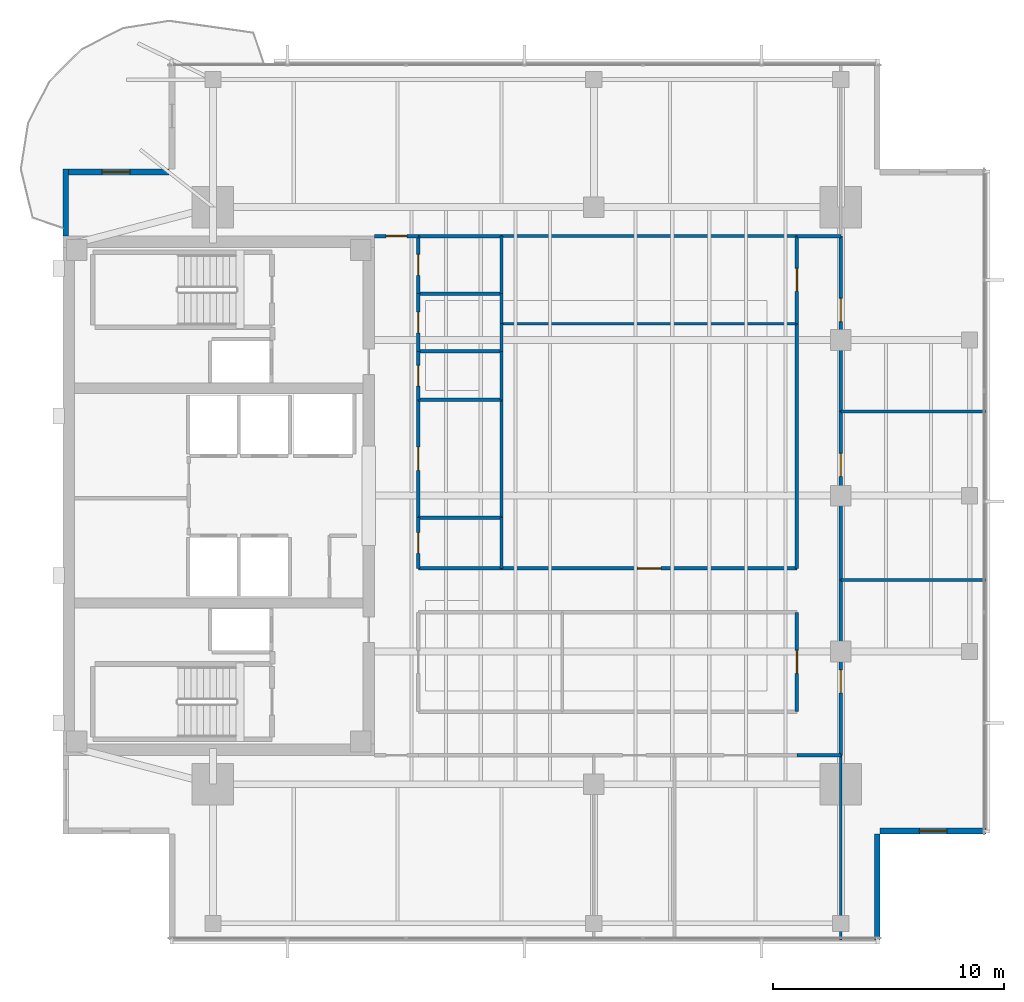
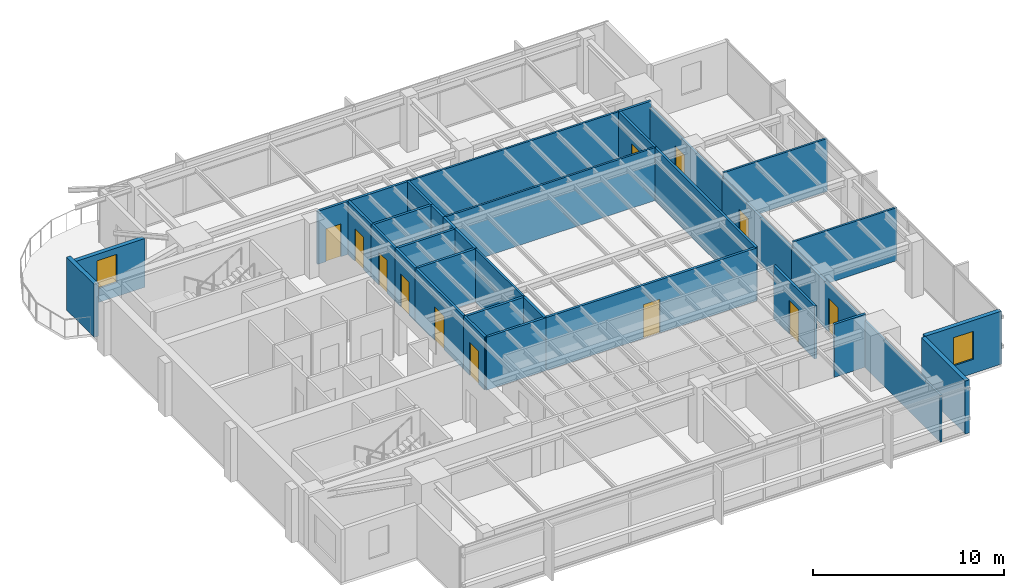
# One storey, part 9 of 14: 36 walls, 12 doors, 2 windows, 14 openings.
"""IFC4 building model written with IfcOpenShell, lengths in metres."""

from ifc_helpers import new_model, si_unit, direction, frame, frame_2d, origin, place, context, subcontext, project, spatial, rectangle, extrude, material, layer, layer_set, type_object, element, fill, save


model = new_model("IFC4")

# Units and contexts
model_context = context("Model", 3, precision=1e-05, world=origin(), true_north=direction((0.0, 1.0)))
body_context = subcontext(model_context, "Body", "Model", "MODEL_VIEW")
ifc_project = project(units=[si_unit("LENGTHUNIT", "METRE"), si_unit("AREAUNIT", "SQUARE_METRE"), si_unit("VOLUMEUNIT", "CUBIC_METRE"), si_unit("PLANEANGLEUNIT", "RADIAN"), si_unit("MASSUNIT", "GRAM", prefix="KILO")], contexts=[model_context])

# Site, building, storey
site_placement = place(None, origin())
site = spatial("IfcSite", under=ifc_project, at=site_placement, CompositionType="ELEMENT")
building_placement = place(site_placement, origin())
building = spatial("IfcBuilding", under=site, at=building_placement, Name="Kinhvarn Gate Tower", CompositionType="ELEMENT")
storey_placement = place(building_placement, frame((0.0, 0.0, 274.10009765625)))
storey = spatial("IfcBuildingStorey", under=building, at=storey_placement, Name="L73", CompositionType="ELEMENT", Elevation=274.10009765625)

# Walls
ifc_material_1 = material(Name="Fired architectural terracotta", Category="masonry")
ifc_layer_1 = layer(ifc_material_1, 0.25)
ifc_layer_set_1 = layer_set([ifc_layer_1], Name="Fired architectural terracotta")
wall_type_1 = type_object("IfcWallType", Name="WL-EXT-250", PredefinedType="SOLIDWALL", material=ifc_layer_set_1)
wall_1_placement = place(storey_placement, frame((4.625, 39.39990234375, 0.0), z_axis=(0.0, 0.0, 1.0), x_axis=(0.0, -1.0, 0.0)))
element("IfcWall", 1, at=wall_1_placement, inside=storey, type_object=wall_type_1, Name="Exterior Solidwall Wall EW-250 (L73 West-North)", PredefinedType="SOLIDWALL", context=body_context, shape_type="SweptSolid", body=[
    extrude(rectangle(XDim=2.89990234375, YDim=0.25, at=frame_2d((1.449951171875, 0.0))), origin(), (0.0, 0.0, 1.0), 3.389892578125),
])
wall_2_placement = place(storey_placement, frame((39.77490234375, 6.0, 0.0), z_axis=(0.0, 0.0, 1.0), x_axis=(0.0, 1.0, 0.0)))
element("IfcWall", 2, at=wall_2_placement, inside=storey, type_object=wall_type_1, Name="Exterior Solidwall Wall EW-250 (L73 SE-Notch-1)", PredefinedType="SOLIDWALL", context=body_context, shape_type="SweptSolid", body=[
    extrude(rectangle(XDim=4.60009765625, YDim=0.25, at=frame_2d((2.300048828125, 0.0))), origin(), (0.0, 0.0, 1.0), 3.389892578125),
])

# Wall, opening, window
wall_3_placement = place(storey_placement, frame((39.89990234375, 10.72509765625, 0.0), z_axis=(0.0, 0.0, 1.0), x_axis=(1.0, 0.0, 0.0)))
wall_3 = element("IfcWall", 3, at=wall_3_placement, inside=storey, type_object=wall_type_1, Name="Exterior Solidwall Wall EW-250 (L73 SE-Notch-2)", PredefinedType="SOLIDWALL", context=body_context, shape_type="SweptSolid", body=[
    extrude(rectangle(XDim=4.60009765625, YDim=0.25, at=frame_2d((2.300048828125, 0.0))), origin(), (0.0, 0.0, 1.0), 3.389892578125),
])
opening_1_placement = place(wall_3_placement, frame((1.699951171875, 0.0, 0.89990234375)))
opening_1 = element("IfcOpeningElement", 4, at=opening_1_placement, cuts=wall_3, Name="Opening WN-02", PredefinedType="OPENING", context=body_context, shape_type="SweptSolid", body=[
    extrude(rectangle(XDim=1.199951171875, YDim=1.800048828125, at=frame_2d((0.60009765625, 0.89990234375))), frame((0.0, 0.135009765625, 0.0), z_axis=(0.0, -1.0, 0.0), x_axis=(1.0, 0.0, 0.0)), (0.0, 0.0, 1.0), 0.27001953125),
])
ifc_material_2 = material(Name="Clear low-e double glazing", Category="glass")
window_type = type_object("IfcWindowType", Name="WIN-NTC-1200", PartitioningType="SINGLE_PANEL", PredefinedType="WINDOW", material=ifc_material_2)
window_1_placement = place(opening_1_placement, origin())
window_1 = element("IfcWindow", 5, at=window_1_placement, inside=storey, type_object=window_type, Name="Recessed Corner Notch Punched Window 1200x1800 mm (L73)", OverallHeight=1.800048828125, OverallWidth=1.199951171875, PartitioningType="SINGLE_PANEL", PredefinedType="WINDOW", context=body_context, shape_type="SweptSolid", body=[
    extrude(rectangle(XDim=1.199951171875, YDim=1.800048828125, at=frame_2d((0.60009765625, 0.89990234375))), frame((0.0, 0.030029296875, 0.0), z_axis=(0.0, -1.0, 0.0), x_axis=(1.0, 0.0, 0.0)), (0.0, 0.0, 1.0), 0.06005859375),
])
fill(opening_1, window_1)

wall_4_placement = place(storey_placement, frame((9.10009765625, 39.27490234375, 0.0), z_axis=(0.0, 0.0, 1.0), x_axis=(-1.0, 0.0, 0.0)))
wall_4 = element("IfcWall", 6, at=wall_4_placement, inside=storey, type_object=wall_type_1, Name="Exterior Solidwall Wall EW-250 (L73 NW-Notch-Win)", PredefinedType="SOLIDWALL", context=body_context, shape_type="SweptSolid", body=[
    extrude(rectangle(XDim=4.60009765625, YDim=0.25, at=frame_2d((2.300048828125, 0.0))), origin(), (0.0, 0.0, 1.0), 3.119873046875),
])
opening_2_placement = place(wall_4_placement, frame((1.699951171875, 0.0, 0.89990234375)))
opening_2 = element("IfcOpeningElement", 7, at=opening_2_placement, cuts=wall_4, Name="Opening WN-02", PredefinedType="OPENING", context=body_context, shape_type="SweptSolid", body=[
    extrude(rectangle(XDim=1.199951171875, YDim=1.800048828125, at=frame_2d((0.60009765625, 0.89990234375))), frame((0.0, 0.135009765625, 0.0), z_axis=(0.0, -1.0, 0.0), x_axis=(1.0, 0.0, 0.0)), (0.0, 0.0, 1.0), 0.27001953125),
])
window_2_placement = place(opening_2_placement, origin())
window_2 = element("IfcWindow", 8, at=window_2_placement, inside=storey, type_object=window_type, Name="Recessed Corner Notch Punched Window 1200x1800 mm (L73)", OverallHeight=1.800048828125, OverallWidth=1.199951171875, PartitioningType="SINGLE_PANEL", PredefinedType="WINDOW", context=body_context, shape_type="SweptSolid", body=[
    extrude(rectangle(XDim=1.199951171875, YDim=1.800048828125, at=frame_2d((0.60009765625, 0.89990234375))), frame((0.0, 0.030029296875, 0.0), z_axis=(0.0, -1.0, 0.0), x_axis=(1.0, 0.0, 0.0)), (0.0, 0.0, 1.0), 0.06005859375),
])
fill(opening_2, window_2)

# Walls
ifc_material_3 = material(Name="Gypsum acoustic partition board")
ifc_layer_2 = layer(ifc_material_3, 0.14990234375)
ifc_layer_set_2 = layer_set([ifc_layer_2], Name="Gypsum acoustic partition board")
wall_type_2 = type_object("IfcWallType", Name="WL-PLM-150", PredefinedType="PLUMBINGWALL", material=ifc_layer_set_2)
wall_5_placement = place(storey_placement, frame((19.89990234375, 34.0, 0.0), z_axis=(0.0, 0.0, 1.0), x_axis=(1.0, 0.0, 0.0)))
element("IfcWall", 9, at=wall_5_placement, inside=storey, type_object=wall_type_2, Name="Interior Partition PLW-150 (L73)", PredefinedType="PLUMBINGWALL", context=body_context, shape_type="SweptSolid", body=[
    extrude(rectangle(XDim=3.60009765625, YDim=0.14990234375, at=frame_2d((1.800048828125, 0.0))), origin(), (0.0, 0.0, 1.0), 3.389892578125),
])
wall_6_placement = place(storey_placement, frame((23.5, 34.0, 0.0), z_axis=(0.0, 0.0, 1.0), x_axis=(0.0, 1.0, 0.0)))
element("IfcWall", 10, at=wall_6_placement, inside=storey, type_object=wall_type_2, Name="Interior Partition PLW-150 (L73)", PredefinedType="PLUMBINGWALL", context=body_context, shape_type="SweptSolid", body=[
    extrude(rectangle(XDim=2.5, YDim=0.14990234375, at=frame_2d((1.25, 0.0))), origin(), (0.0, 0.0, 1.0), 3.389892578125),
])
for number, where, z_axis, x_axis, name in (
    (11, (19.89990234375, 36.5, 0.0), (0.0, 0.0, 1.0), (1.0, 0.0, 0.0), "Interior Partition PLW-150 (L73)"),
    (12, (19.89990234375, 31.5, 0.0), (0.0, 0.0, 1.0), (1.0, 0.0, 0.0), "Interior Partition PLW-150 (L73)"),
):
    element("IfcWall", number, at=place(storey_placement, frame(where, z_axis=z_axis, x_axis=x_axis)), inside=storey, type_object=wall_type_2, Name=name, PredefinedType="PLUMBINGWALL", context=body_context, shape_type="SweptSolid", body=[
        extrude(rectangle(XDim=3.60009765625, YDim=0.14990234375, at=frame_2d((1.800048828125, 0.0))), origin(), (0.0, 0.0, 1.0), 3.389892578125),
    ])
wall_7_placement = place(storey_placement, frame((23.5, 32.699951171875, 0.0), z_axis=(0.0, 0.0, 1.0), x_axis=(0.0, 1.0, 0.0)))
element("IfcWall", 13, at=wall_7_placement, inside=storey, type_object=wall_type_2, Name="Interior Partition PLW-150 (L73)", PredefinedType="PLUMBINGWALL", context=body_context, shape_type="SweptSolid", body=[
    extrude(rectangle(XDim=1.300048828125, YDim=0.14990234375, at=frame_2d((0.64990234375, 0.0))), origin(), (0.0, 0.0, 1.0), 3.389892578125),
])
wall_8_placement = place(storey_placement, frame((23.5, 31.5, 0.0), z_axis=(0.0, 0.0, 1.0), x_axis=(0.0, 1.0, 0.0)))
element("IfcWall", 14, at=wall_8_placement, inside=storey, type_object=wall_type_2, Name="Interior Partition PLW-150 (L73)", PredefinedType="PLUMBINGWALL", context=body_context, shape_type="SweptSolid", body=[
    extrude(rectangle(XDim=1.199951171875, YDim=0.14990234375, at=frame_2d((0.60009765625, 0.0))), origin(), (0.0, 0.0, 1.0), 3.389892578125),
])
wall_9_placement = place(storey_placement, frame((19.89990234375, 29.39990234375, 0.0), z_axis=(0.0, 0.0, 1.0), x_axis=(1.0, 0.0, 0.0)))
element("IfcWall", 15, at=wall_9_placement, inside=storey, type_object=wall_type_2, Name="Interior Partition PLW-150 (L73)", PredefinedType="PLUMBINGWALL", context=body_context, shape_type="SweptSolid", body=[
    extrude(rectangle(XDim=3.60009765625, YDim=0.14990234375, at=frame_2d((1.800048828125, 0.0))), origin(), (0.0, 0.0, 1.0), 3.389892578125),
])
wall_10_placement = place(storey_placement, frame((23.5, 29.39990234375, 0.0), z_axis=(0.0, 0.0, 1.0), x_axis=(0.0, 1.0, 0.0)))
element("IfcWall", 16, at=wall_10_placement, inside=storey, type_object=wall_type_2, Name="Interior Partition PLW-150 (L73)", PredefinedType="PLUMBINGWALL", context=body_context, shape_type="SweptSolid", body=[
    extrude(rectangle(XDim=2.10009765625, YDim=0.14990234375, at=frame_2d((1.050048828125, 0.0))), origin(), (0.0, 0.0, 1.0), 3.389892578125),
])
wall_11_placement = place(storey_placement, frame((19.89990234375, 24.300048828125, 0.0), z_axis=(0.0, 0.0, 1.0), x_axis=(1.0, 0.0, 0.0)))
element("IfcWall", 17, at=wall_11_placement, inside=storey, type_object=wall_type_2, Name="Interior Partition PLW-150 (L73)", PredefinedType="PLUMBINGWALL", context=body_context, shape_type="SweptSolid", body=[
    extrude(rectangle(XDim=3.60009765625, YDim=0.14990234375, at=frame_2d((1.800048828125, 0.0))), origin(), (0.0, 0.0, 1.0), 3.389892578125),
])
wall_12_placement = place(storey_placement, frame((23.5, 22.10009765625, 0.0), z_axis=(0.0, 0.0, 1.0), x_axis=(0.0, 1.0, 0.0)))
element("IfcWall", 18, at=wall_12_placement, inside=storey, type_object=wall_type_2, Name="Interior Partition PLW-150 (L73)", PredefinedType="PLUMBINGWALL", context=body_context, shape_type="SweptSolid", body=[
    extrude(rectangle(XDim=2.199951171875, YDim=0.14990234375, at=frame_2d((1.10009765625, 0.0))), origin(), (0.0, 0.0, 1.0), 3.389892578125),
])

# Wall, opening, door
ifc_layer_3 = layer(ifc_material_3, 0.14990234375)
ifc_layer_set_3 = layer_set([ifc_layer_3], Name="Gypsum acoustic partition board")
wall_type_3 = type_object("IfcWallType", Name="WL-PLM-150F", PredefinedType="PLUMBINGWALL", material=ifc_layer_set_3)
wall_13_placement = place(storey_placement, frame((19.89990234375, 34.0, 0.0), z_axis=(0.0, 0.0, 1.0), x_axis=(0.0, 1.0, 0.0)))
wall_13 = element("IfcWall", 19, at=wall_13_placement, inside=storey, type_object=wall_type_3, Name="Interior Partition PLW-150F (L73)", PredefinedType="PLUMBINGWALL", context=body_context, shape_type="SweptSolid", body=[
    extrude(rectangle(XDim=2.5, YDim=0.14990234375, at=frame_2d((1.25, 0.0))), origin(), (0.0, 0.0, 1.0), 3.389892578125),
])
opening_3_placement = place(wall_13_placement, frame((0.800048828125, 0.0, 0.0)))
opening_3 = element("IfcOpeningElement", 20, at=opening_3_placement, cuts=wall_13, Name="Opening FD-04", PredefinedType="OPENING", context=body_context, shape_type="SweptSolid", body=[
    extrude(rectangle(XDim=0.89990234375, YDim=2.10009765625, at=frame_2d((0.449951171875, 1.050048828125))), frame((0.0, 0.0849609375, 0.0), z_axis=(0.0, -1.0, 0.0), x_axis=(1.0, 0.0, 0.0)), (0.0, 0.0, 1.0), 0.169921875),
])
ifc_material_4 = material(Name="Anodised aluminium AW-6063", Category="aluminium")
door_type_1 = type_object("IfcDoorType", Name="DR-FD-900", OperationType="NOTDEFINED", PredefinedType="DOOR", material=ifc_material_4)
door_1_placement = place(opening_3_placement, origin())
door_1 = element("IfcDoor", 21, at=door_1_placement, inside=storey, type_object=door_type_1, Name="Rated Riser & Service Closet Fire Door 900x2100 mm (L73)", OperationType="SINGLE_SWING_RIGHT", OverallHeight=2.10009765625, OverallWidth=0.89990234375, PredefinedType="DOOR", context=body_context, shape_type="SweptSolid", body=[
    extrude(rectangle(XDim=0.89990234375, YDim=2.10009765625, at=frame_2d((0.449951171875, 1.050048828125))), frame((0.0, 0.02490234375, 0.0), z_axis=(0.0, -1.0, 0.0), x_axis=(1.0, 0.0, 0.0)), (0.0, 0.0, 1.0), 0.050048828125),
])
fill(opening_3, door_1)

wall_14_placement = place(storey_placement, frame((19.89990234375, 31.5, 0.0), z_axis=(0.0, 0.0, 1.0), x_axis=(0.0, 1.0, 0.0)))
wall_14 = element("IfcWall", 22, at=wall_14_placement, inside=storey, type_object=wall_type_3, Name="Interior Partition PLW-150F (L73)", PredefinedType="PLUMBINGWALL", context=body_context, shape_type="SweptSolid", body=[
    extrude(rectangle(XDim=2.5, YDim=0.14990234375, at=frame_2d((1.25, 0.0))), origin(), (0.0, 0.0, 1.0), 3.389892578125),
])
opening_4_placement = place(wall_14_placement, frame((0.800048828125, 0.0, 0.0)))
opening_4 = element("IfcOpeningElement", 23, at=opening_4_placement, cuts=wall_14, Name="Opening FD-04", PredefinedType="OPENING", context=body_context, shape_type="SweptSolid", body=[
    extrude(rectangle(XDim=0.89990234375, YDim=2.10009765625, at=frame_2d((0.449951171875, 1.050048828125))), frame((0.0, 0.0849609375, 0.0), z_axis=(0.0, -1.0, 0.0), x_axis=(1.0, 0.0, 0.0)), (0.0, 0.0, 1.0), 0.169921875),
])
door_2_placement = place(opening_4_placement, origin())
door_2 = element("IfcDoor", 24, at=door_2_placement, inside=storey, type_object=door_type_1, Name="Rated Riser & Service Closet Fire Door 900x2100 mm (L73)", OperationType="SINGLE_SWING_LEFT", OverallHeight=2.10009765625, OverallWidth=0.89990234375, PredefinedType="DOOR", context=body_context, shape_type="SweptSolid", body=[
    extrude(rectangle(XDim=0.89990234375, YDim=2.10009765625, at=frame_2d((0.449951171875, 1.050048828125))), frame((0.0, 0.02490234375, 0.0), z_axis=(0.0, -1.0, 0.0), x_axis=(1.0, 0.0, 0.0)), (0.0, 0.0, 1.0), 0.050048828125),
])
fill(opening_4, door_2)

wall_15_placement = place(storey_placement, frame((19.89990234375, 29.39990234375, 0.0), z_axis=(0.0, 0.0, 1.0), x_axis=(0.0, 1.0, 0.0)))
wall_15 = element("IfcWall", 25, at=wall_15_placement, inside=storey, type_object=wall_type_3, Name="Interior Partition PLW-150F (L73)", PredefinedType="PLUMBINGWALL", context=body_context, shape_type="SweptSolid", body=[
    extrude(rectangle(XDim=2.10009765625, YDim=0.14990234375, at=frame_2d((1.050048828125, 0.0))), origin(), (0.0, 0.0, 1.0), 3.389892578125),
])
opening_5_placement = place(wall_15_placement, frame((0.60009765625, 0.0, 0.0)))
opening_5 = element("IfcOpeningElement", 26, at=opening_5_placement, cuts=wall_15, Name="Opening FD-04", PredefinedType="OPENING", context=body_context, shape_type="SweptSolid", body=[
    extrude(rectangle(XDim=0.89990234375, YDim=2.10009765625, at=frame_2d((0.449951171875, 1.050048828125))), frame((0.0, 0.0849609375, 0.0), z_axis=(0.0, -1.0, 0.0), x_axis=(1.0, 0.0, 0.0)), (0.0, 0.0, 1.0), 0.169921875),
])
door_3_placement = place(opening_5_placement, origin())
door_3 = element("IfcDoor", 27, at=door_3_placement, inside=storey, type_object=door_type_1, Name="Rated Riser & Service Closet Fire Door 900x2100 mm (L73)", OperationType="SINGLE_SWING_RIGHT", OverallHeight=2.10009765625, OverallWidth=0.89990234375, PredefinedType="DOOR", context=body_context, shape_type="SweptSolid", body=[
    extrude(rectangle(XDim=0.89990234375, YDim=2.10009765625, at=frame_2d((0.449951171875, 1.050048828125))), frame((0.0, 0.02490234375, 0.0), z_axis=(0.0, -1.0, 0.0), x_axis=(1.0, 0.0, 0.0)), (0.0, 0.0, 1.0), 0.050048828125),
])
fill(opening_5, door_3)

wall_16_placement = place(storey_placement, frame((19.89990234375, 22.10009765625, 0.0), z_axis=(0.0, 0.0, 1.0), x_axis=(0.0, 1.0, 0.0)))
wall_16 = element("IfcWall", 28, at=wall_16_placement, inside=storey, type_object=wall_type_3, Name="Interior Partition PLW-150F (L73)", PredefinedType="PLUMBINGWALL", context=body_context, shape_type="SweptSolid", body=[
    extrude(rectangle(XDim=2.199951171875, YDim=0.14990234375, at=frame_2d((1.10009765625, 0.0))), origin(), (0.0, 0.0, 1.0), 3.389892578125),
])
opening_6_placement = place(wall_16_placement, frame((0.64990234375, 0.0, 0.0)))
opening_6 = element("IfcOpeningElement", 29, at=opening_6_placement, cuts=wall_16, Name="Opening FD-04", PredefinedType="OPENING", context=body_context, shape_type="SweptSolid", body=[
    extrude(rectangle(XDim=0.89990234375, YDim=2.10009765625, at=frame_2d((0.449951171875, 1.050048828125))), frame((0.0, 0.0849609375, 0.0), z_axis=(0.0, -1.0, 0.0), x_axis=(1.0, 0.0, 0.0)), (0.0, 0.0, 1.0), 0.169921875),
])
door_4_placement = place(opening_6_placement, origin())
door_4 = element("IfcDoor", 30, at=door_4_placement, inside=storey, type_object=door_type_1, Name="Rated Riser & Service Closet Fire Door 900x2100 mm (L73)", OperationType="SINGLE_SWING_LEFT", OverallHeight=2.10009765625, OverallWidth=0.89990234375, PredefinedType="DOOR", context=body_context, shape_type="SweptSolid", body=[
    extrude(rectangle(XDim=0.89990234375, YDim=2.10009765625, at=frame_2d((0.449951171875, 1.050048828125))), frame((0.0, 0.02490234375, 0.0), z_axis=(0.0, -1.0, 0.0), x_axis=(1.0, 0.0, 0.0)), (0.0, 0.0, 1.0), 0.050048828125),
])
fill(opening_6, door_4)

# Walls
wall_17_placement = place(storey_placement, frame((19.89990234375, 22.10009765625, 0.0), z_axis=(0.0, 0.0, 1.0), x_axis=(1.0, 0.0, 0.0)))
element("IfcWall", 31, at=wall_17_placement, inside=storey, type_object=wall_type_3, Name="Interior Partition PLW-150F (L73)", PredefinedType="PLUMBINGWALL", context=body_context, shape_type="SweptSolid", body=[
    extrude(rectangle(XDim=3.60009765625, YDim=0.14990234375, at=frame_2d((1.800048828125, 0.0))), origin(), (0.0, 0.0, 1.0), 3.389892578125),
])
ifc_layer_4 = layer(ifc_material_3, 0.1201171875)
ifc_layer_set_4 = layer_set([ifc_layer_4], Name="Gypsum acoustic partition board")
wall_type_4 = type_object("IfcWallType", Name="WL-PRT-120", PredefinedType="PARTITIONING", material=ifc_layer_set_4)
wall_18_placement = place(storey_placement, frame((23.5, 24.300048828125, 0.0), z_axis=(0.0, 0.0, 1.0), x_axis=(0.0, 1.0, 0.0)))
element("IfcWall", 32, at=wall_18_placement, inside=storey, type_object=wall_type_4, Name="Interior Partition PW-120 (L73)", PredefinedType="PARTITIONING", context=body_context, shape_type="SweptSolid", body=[
    extrude(rectangle(XDim=5.099853515625, YDim=0.1201171875, at=frame_2d((2.5498046875, 0.0))), origin(), (0.0, 0.0, 1.0), 3.389892578125),
])
for number, where, z_axis, x_axis, name in (
    (33, (23.5, 32.699951171875, 0.0), (0.0, 0.0, 1.0), (1.0, 0.0, 0.0), "Interior Partition PW-120 (L73)"),
    (34, (23.5, 36.5, 0.0), (0.0, 0.0, 1.0), (1.0, 0.0, 0.0), "Interior Partition PW-120 (L73)"),
):
    element("IfcWall", number, at=place(storey_placement, frame(where, z_axis=z_axis, x_axis=x_axis)), inside=storey, type_object=wall_type_4, Name=name, PredefinedType="PARTITIONING", context=body_context, shape_type="SweptSolid", body=[
        extrude(rectangle(XDim=12.800048828125, YDim=0.1201171875, at=frame_2d((6.39990234375, 0.0))), origin(), (0.0, 0.0, 1.0), 3.389892578125),
    ])
wall_19_placement = place(storey_placement, frame((38.199951171875, 6.010009765625, 0.0), z_axis=(0.0, 0.0, 1.0), x_axis=(0.0, 1.0, 0.0)))
element("IfcWall", 35, at=wall_19_placement, inside=storey, type_object=wall_type_4, Name="Interior Partition PW-120 (L73)", PredefinedType="PARTITIONING", context=body_context, shape_type="SweptSolid", body=[
    extrude(rectangle(XDim=7.989990234375, YDim=0.1201171875, at=frame_2d((3.9951171875, 0.0))), origin(), (0.0, 0.0, 1.0), 2.989990234375),
])
for number, where, z_axis, x_axis, name in (
    (36, (38.199951171875, 21.60009765625, 0.0), (0.0, 0.0, 1.0), (1.0, 0.0, 0.0), "Interior Partition PW-120 (L73)"),
    (37, (38.199951171875, 28.89990234375, 0.0), (0.0, 0.0, 1.0), (1.0, 0.0, 0.0), "Interior Partition PW-120 (L73)"),
):
    element("IfcWall", number, at=place(storey_placement, frame(where, z_axis=z_axis, x_axis=x_axis)), inside=storey, type_object=wall_type_4, Name=name, PredefinedType="PARTITIONING", context=body_context, shape_type="SweptSolid", body=[
        extrude(rectangle(XDim=6.2900390625, YDim=0.1201171875, at=frame_2d((3.14501953125, 0.0))), origin(), (0.0, 0.0, 1.0), 3.389892578125),
    ])

# Wall, opening, door
ifc_layer_5 = layer(ifc_material_3, 0.14990234375)
ifc_layer_set_5 = layer_set([ifc_layer_5], Name="Gypsum acoustic partition board")
wall_type_5 = type_object("IfcWallType", Name="WL-PRT-150F", PredefinedType="PARTITIONING", material=ifc_layer_set_5)
wall_20_placement = place(storey_placement, frame((19.89990234375, 24.300048828125, 0.0), z_axis=(0.0, 0.0, 1.0), x_axis=(0.0, 1.0, 0.0)))
wall_20 = element("IfcWall", 38, at=wall_20_placement, inside=storey, type_object=wall_type_5, Name="Interior Partition PW-150F (L73)", PredefinedType="PARTITIONING", context=body_context, shape_type="SweptSolid", body=[
    extrude(rectangle(XDim=5.099853515625, YDim=0.14990234375, at=frame_2d((2.5498046875, 0.0))), origin(), (0.0, 0.0, 1.0), 3.389892578125),
])
opening_7_placement = place(wall_20_placement, frame((2.050048828125, 0.0, 0.0)))
opening_7 = element("IfcOpeningElement", 39, at=opening_7_placement, cuts=wall_20, Name="Opening ID-02", PredefinedType="OPENING", context=body_context, shape_type="SweptSolid", body=[
    extrude(rectangle(XDim=1.0, YDim=2.14990234375, at=frame_2d((0.5, 1.074951171875))), frame((0.0, 0.0849609375, 0.0), z_axis=(0.0, -1.0, 0.0), x_axis=(1.0, 0.0, 0.0)), (0.0, 0.0, 1.0), 0.169921875),
])
door_type_2 = type_object("IfcDoorType", Name="DR-INT-1000", OperationType="NOTDEFINED", PredefinedType="DOOR", material=ifc_material_4)
door_5_placement = place(opening_7_placement, origin())
door_5 = element("IfcDoor", 40, at=door_5_placement, inside=storey, type_object=door_type_2, Name="Standard Office & Meeting Room Door 1000x2150 mm (L73)", OperationType="SINGLE_SWING_RIGHT", OverallHeight=2.14990234375, OverallWidth=1.0, PredefinedType="DOOR", context=body_context, shape_type="SweptSolid", body=[
    extrude(rectangle(XDim=1.0, YDim=2.14990234375, at=frame_2d((0.5, 1.074951171875))), frame((0.0, 0.02490234375, 0.0), z_axis=(0.0, -1.0, 0.0), x_axis=(1.0, 0.0, 0.0)), (0.0, 0.0, 1.0), 0.050048828125),
])
fill(opening_7, door_5)

wall_21_placement = place(storey_placement, frame((18.0, 36.5, 0.0), z_axis=(0.0, 0.0, 1.0), x_axis=(1.0, 0.0, 0.0)))
wall_21 = element("IfcWall", 41, at=wall_21_placement, inside=storey, type_object=wall_type_5, Name="Interior Partition PW-150F (L73)", PredefinedType="PARTITIONING", context=body_context, shape_type="SweptSolid", body=[
    extrude(rectangle(XDim=1.89990234375, YDim=0.14990234375, at=frame_2d((0.949951171875, 0.0))), origin(), (0.0, 0.0, 1.0), 3.389892578125),
])
opening_8_placement = place(wall_21_placement, frame((0.5, 0.0, 0.0)))
opening_8 = element("IfcOpeningElement", 42, at=opening_8_placement, cuts=wall_21, Name="Opening ID-03", PredefinedType="OPENING", context=body_context, shape_type="SweptSolid", body=[
    extrude(rectangle(XDim=0.89990234375, YDim=2.10009765625, at=frame_2d((0.449951171875, 1.050048828125))), frame((0.0, 0.0849609375, 0.0), z_axis=(0.0, -1.0, 0.0), x_axis=(1.0, 0.0, 0.0)), (0.0, 0.0, 1.0), 0.169921875),
])
door_type_3 = type_object("IfcDoorType", Name="DR-INT-900", OperationType="NOTDEFINED", PredefinedType="DOOR", material=ifc_material_4)
door_6_placement = place(opening_8_placement, origin())
door_6 = element("IfcDoor", 43, at=door_6_placement, inside=storey, type_object=door_type_3, Name="Cellular Office & Restroom Door 900x2100 mm (L73)", OperationType="SINGLE_SWING_RIGHT", OverallHeight=2.10009765625, OverallWidth=0.89990234375, PredefinedType="DOOR", context=body_context, shape_type="SweptSolid", body=[
    extrude(rectangle(XDim=0.89990234375, YDim=2.10009765625, at=frame_2d((0.449951171875, 1.050048828125))), frame((0.0, 0.02490234375, 0.0), z_axis=(0.0, -1.0, 0.0), x_axis=(1.0, 0.0, 0.0)), (0.0, 0.0, 1.0), 0.050048828125),
])
fill(opening_8, door_6)

wall_22_placement = place(storey_placement, frame((23.5, 22.10009765625, 0.0), z_axis=(0.0, 0.0, 1.0), x_axis=(1.0, 0.0, 0.0)))
wall_22 = element("IfcWall", 44, at=wall_22_placement, inside=storey, type_object=wall_type_5, Name="Interior Partition PW-150F (L73)", PredefinedType="PARTITIONING", context=body_context, shape_type="SweptSolid", body=[
    extrude(rectangle(XDim=12.800048828125, YDim=0.14990234375, at=frame_2d((6.39990234375, 0.0))), origin(), (0.0, 0.0, 1.0), 3.389892578125),
])
opening_9_placement = place(wall_22_placement, frame((5.89990234375, 0.0, 0.0)))
opening_9 = element("IfcOpeningElement", 45, at=opening_9_placement, cuts=wall_22, Name="Opening ID-02", PredefinedType="OPENING", context=body_context, shape_type="SweptSolid", body=[
    extrude(rectangle(XDim=1.0, YDim=2.14990234375, at=frame_2d((0.5, 1.074951171875))), frame((0.0, 0.0849609375, 0.0), z_axis=(0.0, -1.0, 0.0), x_axis=(1.0, 0.0, 0.0)), (0.0, 0.0, 1.0), 0.169921875),
])
door_7_placement = place(opening_9_placement, origin())
door_7 = element("IfcDoor", 46, at=door_7_placement, inside=storey, type_object=door_type_2, Name="Standard Office & Meeting Room Door 1000x2150 mm (L73)", OperationType="SINGLE_SWING_LEFT", OverallHeight=2.14990234375, OverallWidth=1.0, PredefinedType="DOOR", context=body_context, shape_type="SweptSolid", body=[
    extrude(rectangle(XDim=1.0, YDim=2.14990234375, at=frame_2d((0.5, 1.074951171875))), frame((0.0, 0.02490234375, 0.0), z_axis=(0.0, -1.0, 0.0), x_axis=(1.0, 0.0, 0.0)), (0.0, 0.0, 1.0), 0.050048828125),
])
fill(opening_9, door_7)

wall_23_placement = place(storey_placement, frame((36.300048828125, 15.89990234375, 0.0), z_axis=(0.0, 0.0, 1.0), x_axis=(0.0, 1.0, 0.0)))
wall_23 = element("IfcWall", 47, at=wall_23_placement, inside=storey, type_object=wall_type_5, Name="Interior Partition PW-150F (L73)", PredefinedType="PARTITIONING", context=body_context, shape_type="SweptSolid", body=[
    extrude(rectangle(XDim=4.300048828125, YDim=0.14990234375, at=frame_2d((2.14990234375, 0.0))), origin(), (0.0, 0.0, 1.0), 3.389892578125),
])
opening_10_placement = place(wall_23_placement, frame((1.64990234375, 0.0, 0.0)))
opening_10 = element("IfcOpeningElement", 48, at=opening_10_placement, cuts=wall_23, Name="Opening ID-02", PredefinedType="OPENING", context=body_context, shape_type="SweptSolid", body=[
    extrude(rectangle(XDim=1.0, YDim=2.14990234375, at=frame_2d((0.5, 1.074951171875))), frame((0.0, 0.0849609375, 0.0), z_axis=(0.0, -1.0, 0.0), x_axis=(1.0, 0.0, 0.0)), (0.0, 0.0, 1.0), 0.169921875),
])
door_8_placement = place(opening_10_placement, origin())
door_8 = element("IfcDoor", 49, at=door_8_placement, inside=storey, type_object=door_type_2, Name="Standard Office & Meeting Room Door 1000x2150 mm (L73)", OperationType="SINGLE_SWING_RIGHT", OverallHeight=2.14990234375, OverallWidth=1.0, PredefinedType="DOOR", context=body_context, shape_type="SweptSolid", body=[
    extrude(rectangle(XDim=1.0, YDim=2.14990234375, at=frame_2d((0.5, 1.074951171875))), frame((0.0, 0.02490234375, 0.0), z_axis=(0.0, -1.0, 0.0), x_axis=(1.0, 0.0, 0.0)), (0.0, 0.0, 1.0), 0.050048828125),
])
fill(opening_10, door_8)

wall_24_placement = place(storey_placement, frame((36.300048828125, 32.699951171875, 0.0), z_axis=(0.0, 0.0, 1.0), x_axis=(0.0, 1.0, 0.0)))
wall_24 = element("IfcWall", 50, at=wall_24_placement, inside=storey, type_object=wall_type_5, Name="Interior Partition PW-150F (L73)", PredefinedType="PARTITIONING", context=body_context, shape_type="SweptSolid", body=[
    extrude(rectangle(XDim=3.800048828125, YDim=0.14990234375, at=frame_2d((1.89990234375, 0.0))), origin(), (0.0, 0.0, 1.0), 3.389892578125),
])
opening_11_placement = place(wall_24_placement, frame((1.39990234375, 0.0, 0.0)))
opening_11 = element("IfcOpeningElement", 51, at=opening_11_placement, cuts=wall_24, Name="Opening ID-02", PredefinedType="OPENING", context=body_context, shape_type="SweptSolid", body=[
    extrude(rectangle(XDim=1.0, YDim=2.14990234375, at=frame_2d((0.5, 1.074951171875))), frame((0.0, 0.0849609375, 0.0), z_axis=(0.0, -1.0, 0.0), x_axis=(1.0, 0.0, 0.0)), (0.0, 0.0, 1.0), 0.169921875),
])
door_9_placement = place(opening_11_placement, origin())
door_9 = element("IfcDoor", 52, at=door_9_placement, inside=storey, type_object=door_type_2, Name="Standard Office & Meeting Room Door 1000x2150 mm (L73)", OperationType="SINGLE_SWING_LEFT", OverallHeight=2.14990234375, OverallWidth=1.0, PredefinedType="DOOR", context=body_context, shape_type="SweptSolid", body=[
    extrude(rectangle(XDim=1.0, YDim=2.14990234375, at=frame_2d((0.5, 1.074951171875))), frame((0.0, 0.02490234375, 0.0), z_axis=(0.0, -1.0, 0.0), x_axis=(1.0, 0.0, 0.0)), (0.0, 0.0, 1.0), 0.050048828125),
])
fill(opening_11, door_9)

# Walls
wall_25_placement = place(storey_placement, frame((36.300048828125, 22.10009765625, 0.0), z_axis=(0.0, 0.0, 1.0), x_axis=(0.0, 1.0, 0.0)))
element("IfcWall", 53, at=wall_25_placement, inside=storey, type_object=wall_type_5, Name="Interior Partition PW-150F (L73)", PredefinedType="PARTITIONING", context=body_context, shape_type="SweptSolid", body=[
    extrude(rectangle(XDim=10.599853515625, YDim=0.14990234375, at=frame_2d((5.2998046875, 0.0))), origin(), (0.0, 0.0, 1.0), 3.389892578125),
])
for number, where, z_axis, x_axis, name in (
    (54, (36.300048828125, 14.0, 0.0), (0.0, 0.0, 1.0), (1.0, 0.0, 0.0), "Interior Partition PW-150F (L73)"),
    (55, (36.300048828125, 36.5, 0.0), (0.0, 0.0, 1.0), (1.0, 0.0, 0.0), "Interior Partition PW-150F (L73)"),
):
    element("IfcWall", number, at=place(storey_placement, frame(where, z_axis=z_axis, x_axis=x_axis)), inside=storey, type_object=wall_type_5, Name=name, PredefinedType="PARTITIONING", context=body_context, shape_type="SweptSolid", body=[
        extrude(rectangle(XDim=1.89990234375, YDim=0.14990234375, at=frame_2d((0.949951171875, 0.0))), origin(), (0.0, 0.0, 1.0), 3.389892578125),
    ])

# Wall, opening, door
wall_26_placement = place(storey_placement, frame((38.199951171875, 14.0, 0.0), z_axis=(0.0, 0.0, 1.0), x_axis=(0.0, 1.0, 0.0)))
wall_26 = element("IfcWall", 56, at=wall_26_placement, inside=storey, type_object=wall_type_5, Name="Interior Partition PW-150F (L73)", PredefinedType="PARTITIONING", context=body_context, shape_type="SweptSolid", body=[
    extrude(rectangle(XDim=7.60009765625, YDim=0.14990234375, at=frame_2d((3.800048828125, 0.0))), origin(), (0.0, 0.0, 1.0), 2.989990234375),
])
opening_12_placement = place(wall_26_placement, frame((2.7060546875, 0.0, 0.0)))
opening_12 = element("IfcOpeningElement", 57, at=opening_12_placement, cuts=wall_26, Name="Opening ID-02", PredefinedType="OPENING", context=body_context, shape_type="SweptSolid", body=[
    extrude(rectangle(XDim=1.0, YDim=2.14990234375, at=frame_2d((0.5, 1.074951171875))), frame((0.0, 0.0849609375, 0.0), z_axis=(0.0, -1.0, 0.0), x_axis=(1.0, 0.0, 0.0)), (0.0, 0.0, 1.0), 0.169921875),
])
door_10_placement = place(opening_12_placement, origin())
door_10 = element("IfcDoor", 58, at=door_10_placement, inside=storey, type_object=door_type_2, Name="Standard Office & Meeting Room Door 1000x2150 mm (L73)", OperationType="SINGLE_SWING_RIGHT", OverallHeight=2.14990234375, OverallWidth=1.0, PredefinedType="DOOR", context=body_context, shape_type="SweptSolid", body=[
    extrude(rectangle(XDim=1.0, YDim=2.14990234375, at=frame_2d((0.5, 1.074951171875))), frame((0.0, 0.02490234375, 0.0), z_axis=(0.0, -1.0, 0.0), x_axis=(1.0, 0.0, 0.0)), (0.0, 0.0, 1.0), 0.050048828125),
])
fill(opening_12, door_10)

wall_27_placement = place(storey_placement, frame((38.199951171875, 21.60009765625, 0.0), z_axis=(0.0, 0.0, 1.0), x_axis=(0.0, 1.0, 0.0)))
wall_27 = element("IfcWall", 59, at=wall_27_placement, inside=storey, type_object=wall_type_5, Name="Interior Partition PW-150F (L73)", PredefinedType="PARTITIONING", context=body_context, shape_type="SweptSolid", body=[
    extrude(rectangle(XDim=7.2998046875, YDim=0.14990234375, at=frame_2d((3.64990234375, 0.0))), origin(), (0.0, 0.0, 1.0), 2.989990234375),
])
opening_13_placement = place(wall_27_placement, frame((4.486083984375, 0.0, 0.0)))
opening_13 = element("IfcOpeningElement", 60, at=opening_13_placement, cuts=wall_27, Name="Opening ID-02", PredefinedType="OPENING", context=body_context, shape_type="SweptSolid", body=[
    extrude(rectangle(XDim=1.0, YDim=2.14990234375, at=frame_2d((0.5, 1.074951171875))), frame((0.0, 0.0849609375, 0.0), z_axis=(0.0, -1.0, 0.0), x_axis=(1.0, 0.0, 0.0)), (0.0, 0.0, 1.0), 0.169921875),
])
door_11_placement = place(opening_13_placement, origin())
door_11 = element("IfcDoor", 61, at=door_11_placement, inside=storey, type_object=door_type_2, Name="Standard Office & Meeting Room Door 1000x2150 mm (L73)", OperationType="SINGLE_SWING_LEFT", OverallHeight=2.14990234375, OverallWidth=1.0, PredefinedType="DOOR", context=body_context, shape_type="SweptSolid", body=[
    extrude(rectangle(XDim=1.0, YDim=2.14990234375, at=frame_2d((0.5, 1.074951171875))), frame((0.0, 0.02490234375, 0.0), z_axis=(0.0, -1.0, 0.0), x_axis=(1.0, 0.0, 0.0)), (0.0, 0.0, 1.0), 0.050048828125),
])
fill(opening_13, door_11)

wall_28_placement = place(storey_placement, frame((38.199951171875, 28.89990234375, 0.0), z_axis=(0.0, 0.0, 1.0), x_axis=(0.0, 1.0, 0.0)))
wall_28 = element("IfcWall", 62, at=wall_28_placement, inside=storey, type_object=wall_type_5, Name="Interior Partition PW-150F (L73)", PredefinedType="PARTITIONING", context=body_context, shape_type="SweptSolid", body=[
    extrude(rectangle(XDim=7.60009765625, YDim=0.14990234375, at=frame_2d((3.800048828125, 0.0))), origin(), (0.0, 0.0, 1.0), 2.989990234375),
])
opening_14_placement = place(wall_28_placement, frame((3.89404296875, 0.0, 0.0)))
opening_14 = element("IfcOpeningElement", 63, at=opening_14_placement, cuts=wall_28, Name="Opening ID-02", PredefinedType="OPENING", context=body_context, shape_type="SweptSolid", body=[
    extrude(rectangle(XDim=1.0, YDim=2.14990234375, at=frame_2d((0.5, 1.074951171875))), frame((0.0, 0.0849609375, 0.0), z_axis=(0.0, -1.0, 0.0), x_axis=(1.0, 0.0, 0.0)), (0.0, 0.0, 1.0), 0.169921875),
])
door_12_placement = place(opening_14_placement, origin())
door_12 = element("IfcDoor", 64, at=door_12_placement, inside=storey, type_object=door_type_2, Name="Standard Office & Meeting Room Door 1000x2150 mm (L73)", OperationType="SINGLE_SWING_RIGHT", OverallHeight=2.14990234375, OverallWidth=1.0, PredefinedType="DOOR", context=body_context, shape_type="SweptSolid", body=[
    extrude(rectangle(XDim=1.0, YDim=2.14990234375, at=frame_2d((0.5, 1.074951171875))), frame((0.0, 0.02490234375, 0.0), z_axis=(0.0, -1.0, 0.0), x_axis=(1.0, 0.0, 0.0)), (0.0, 0.0, 1.0), 0.050048828125),
])
fill(opening_14, door_12)

save(model, "model.ifc")
